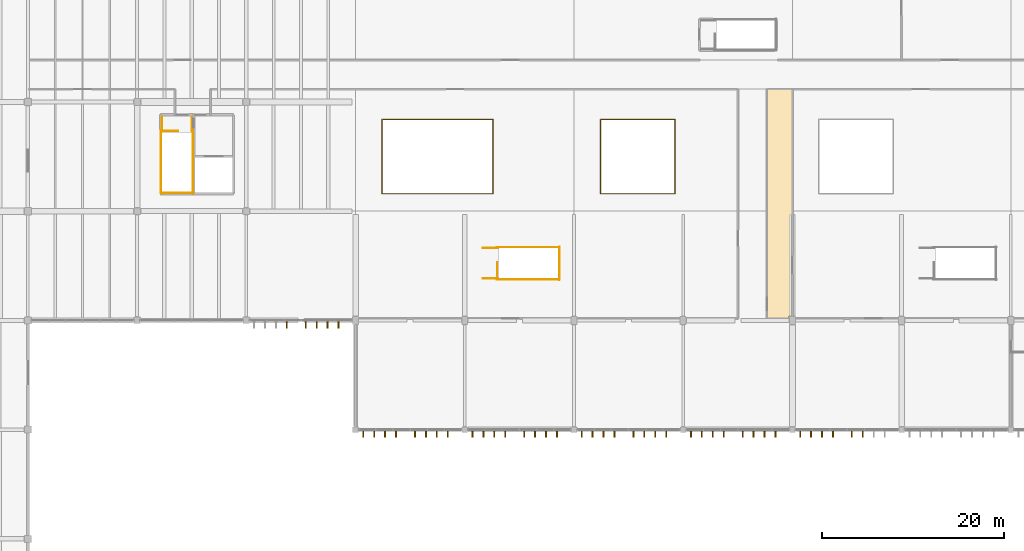
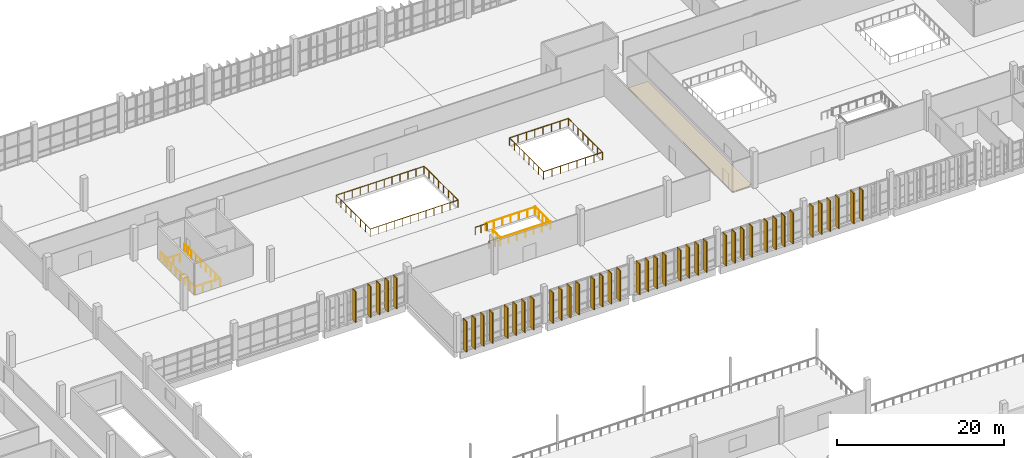
# One storey, part 98 of 112: 44 coverings, 14 railings.
"""IFC4 building model written with IfcOpenShell, lengths in metres."""

from ifc_helpers import new_model, si_unit, direction, frame, origin, origin_2d, place, context, subcontext, project, spatial, polyline, rectangle, circle, outline, extrude, material, layer, layer_set, type_object, element, save


model = new_model("IFC4")

# Units and contexts
model_context = context("Model", 3, precision=1e-05, world=origin(), true_north=direction((0.0, 1.0)))
body_context = subcontext(model_context, "Body", "Model", "MODEL_VIEW")
ifc_project = project(units=[si_unit("LENGTHUNIT", "METRE"), si_unit("AREAUNIT", "SQUARE_METRE"), si_unit("VOLUMEUNIT", "CUBIC_METRE"), si_unit("PLANEANGLEUNIT", "RADIAN"), si_unit("MASSUNIT", "GRAM", prefix="KILO")], contexts=[model_context])

# Site, building, storey
site_placement = place(None, origin())
site = spatial("IfcSite", under=ifc_project, at=site_placement, CompositionType="ELEMENT")
building_placement = place(site_placement, origin())
building = spatial("IfcBuilding", under=site, at=building_placement, Name="Kamomehara Wholesale Market", CompositionType="ELEMENT")
storey_placement = place(building_placement, frame((0.0, 0.0, 6.60009765625)))
storey = spatial("IfcBuildingStorey", under=building, at=storey_placement, Name="L01", CompositionType="ELEMENT", Elevation=6.60009765625)

# Coverings
ifc_material_1 = material(Name="Anodised aluminium 6063-T5 Spectrum Red", Category="aluminium")
ifc_layer_1 = layer(ifc_material_1, 0.134033203125)
ifc_layer_set_1 = layer_set([ifc_layer_1], Name="Anodised aluminium 6063-T5 Spectrum Red")
covering_type_1 = type_object("IfcCoveringType", Name="COV-CLD-01", PredefinedType="CLADDING", material=ifc_layer_set_1)
for number, where, z_axis, x_axis, name in (
    (1, (72.85009765625, 95.594970703125, 0.0), (0.0, 0.0, 1.0), (1.0, 0.0, 0.0), "Polychrome spectrum fin S 29"),
    (2, (92.929931640625, 95.594970703125, 0.0), (0.0, 0.0, 1.0), (1.0, 0.0, 0.0), "Polychrome spectrum fin S 43"),
    (3, (102.530029296875, 95.594970703125, 0.0), (0.0, 0.0, 1.0), (1.0, 0.0, 0.0), "Polychrome spectrum fin S 57"),
    (4, (100.449951171875, 95.594970703125, 0.0), (0.0, 0.0, 1.0), (1.0, 0.0, 0.0), "Polychrome spectrum fin S 64"),
    (5, (110.050048828125, 95.594970703125, 0.0), (0.0, 0.0, 1.0), (1.0, 0.0, 0.0), "Polychrome spectrum fin S 78"),
):
    element("IfcCovering", number, at=place(storey_placement, frame(where, z_axis=z_axis, x_axis=x_axis)), inside=storey, type_object=covering_type_1, Name=name, PredefinedType="CLADDING", context=body_context, shape_type="SweptSolid", body=[
        extrude(rectangle(XDim=0.134033203125, YDim=0.85009765625, at=origin_2d()), origin(), (0.0, 0.0, 1.0), 4.5),
    ])
ifc_material_2 = material(Name="Anodised aluminium 6063-T5 Spectrum Orange", Category="aluminium")
ifc_layer_2 = layer(ifc_material_2, 0.135986328125)
ifc_layer_set_2 = layer_set([ifc_layer_2], Name="Anodised aluminium 6063-T5 Spectrum Orange")
covering_type_2 = type_object("IfcCoveringType", Name="COV-CLD-02", PredefinedType="CLADDING", material=ifc_layer_set_2)
for number, where, z_axis, x_axis, name in (
    (6, (66.530029296875, 107.594970703125, 0.0), (0.0, 0.0, 1.0), (1.0, 0.0, 0.0), "Polychrome spectrum fin S 9"),
    (7, (64.449951171875, 107.594970703125, 0.0), (0.0, 0.0, 1.0), (1.0, 0.0, 0.0), "Polychrome spectrum fin S 16"),
    (8, (74.050048828125, 95.594970703125, 0.0), (0.0, 0.0, 1.0), (1.0, 0.0, 0.0), "Polychrome spectrum fin S 30"),
    (9, (94.1298828125, 95.594970703125, 0.0), (0.0, 0.0, 1.0), (1.0, 0.0, 0.0), "Polychrome spectrum fin S 44"),
    (10, (103.72998046875, 95.594970703125, 0.0), (0.0, 0.0, 1.0), (1.0, 0.0, 0.0), "Polychrome spectrum fin S 58"),
    (11, (111.25, 95.594970703125, 0.0), (0.0, 0.0, 1.0), (1.0, 0.0, 0.0), "Polychrome spectrum fin S 79"),
    (12, (120.85009765625, 95.594970703125, 0.0), (0.0, 0.0, 1.0), (1.0, 0.0, 0.0), "Polychrome spectrum fin S 93"),
):
    element("IfcCovering", number, at=place(storey_placement, frame(where, z_axis=z_axis, x_axis=x_axis)), inside=storey, type_object=covering_type_2, Name=name, PredefinedType="CLADDING", context=body_context, shape_type="SweptSolid", body=[
        extrude(rectangle(XDim=0.135986328125, YDim=0.85009765625, at=origin_2d()), origin(), (0.0, 0.0, 1.0), 4.5),
    ])
ifc_material_3 = material(Name="Anodised aluminium 6063-T5 Spectrum Amber", Category="aluminium")
ifc_layer_3 = layer(ifc_material_3, 0.137939453125)
ifc_layer_set_3 = layer_set([ifc_layer_3], Name="Anodised aluminium 6063-T5 Spectrum Amber")
covering_type_3 = type_object("IfcCoveringType", Name="COV-CLD-03", PredefinedType="CLADDING", material=ifc_layer_set_3)
for number, where, z_axis, x_axis, name in (
    (13, (67.72998046875, 107.594970703125, 0.0), (0.0, 0.0, 1.0), (1.0, 0.0, 0.0), "Polychrome spectrum fin S 10"),
    (14, (75.25, 95.594970703125, 0.0), (0.0, 0.0, 1.0), (1.0, 0.0, 0.0), "Polychrome spectrum fin S 31"),
    (15, (84.85009765625, 95.594970703125, 0.0), (0.0, 0.0, 1.0), (1.0, 0.0, 0.0), "Polychrome spectrum fin S 45"),
    (16, (104.929931640625, 95.594970703125, 0.0), (0.0, 0.0, 1.0), (1.0, 0.0, 0.0), "Polychrome spectrum fin S 59"),
    (17, (114.530029296875, 95.594970703125, 0.0), (0.0, 0.0, 1.0), (1.0, 0.0, 0.0), "Polychrome spectrum fin S 73"),
    (18, (112.449951171875, 95.594970703125, 0.0), (0.0, 0.0, 1.0), (1.0, 0.0, 0.0), "Polychrome spectrum fin S 80"),
    (19, (122.050048828125, 95.594970703125, 0.0), (0.0, 0.0, 1.0), (1.0, 0.0, 0.0), "Polychrome spectrum fin S 94"),
):
    element("IfcCovering", number, at=place(storey_placement, frame(where, z_axis=z_axis, x_axis=x_axis)), inside=storey, type_object=covering_type_3, Name=name, PredefinedType="CLADDING", context=body_context, shape_type="SweptSolid", body=[
        extrude(rectangle(XDim=0.137939453125, YDim=0.85009765625, at=origin_2d()), origin(), (0.0, 0.0, 1.0), 4.5),
    ])
ifc_material_4 = material(Name="Anodised aluminium 6063-T5 Spectrum Green", Category="aluminium")
ifc_layer_4 = layer(ifc_material_4, 0.139892578125)
ifc_layer_set_4 = layer_set([ifc_layer_4], Name="Anodised aluminium 6063-T5 Spectrum Green")
covering_type_4 = type_object("IfcCoveringType", Name="COV-CLD-04", PredefinedType="CLADDING", material=ifc_layer_set_4)
for number, where, z_axis, x_axis, name in (
    (20, (68.929931640625, 107.594970703125, 0.0), (0.0, 0.0, 1.0), (1.0, 0.0, 0.0), "Polychrome spectrum fin S 11"),
    (21, (78.530029296875, 95.594970703125, 0.0), (0.0, 0.0, 1.0), (1.0, 0.0, 0.0), "Polychrome spectrum fin S 25"),
    (22, (76.449951171875, 95.594970703125, 0.0), (0.0, 0.0, 1.0), (1.0, 0.0, 0.0), "Polychrome spectrum fin S 32"),
    (23, (86.050048828125, 95.594970703125, 0.0), (0.0, 0.0, 1.0), (1.0, 0.0, 0.0), "Polychrome spectrum fin S 46"),
    (24, (106.1298828125, 95.594970703125, 0.0), (0.0, 0.0, 1.0), (1.0, 0.0, 0.0), "Polychrome spectrum fin S 60"),
    (25, (115.72998046875, 95.594970703125, 0.0), (0.0, 0.0, 1.0), (1.0, 0.0, 0.0), "Polychrome spectrum fin S 74"),
    (26, (123.25, 95.594970703125, 0.0), (0.0, 0.0, 1.0), (1.0, 0.0, 0.0), "Polychrome spectrum fin S 95"),
):
    element("IfcCovering", number, at=place(storey_placement, frame(where, z_axis=z_axis, x_axis=x_axis)), inside=storey, type_object=covering_type_4, Name=name, PredefinedType="CLADDING", context=body_context, shape_type="SweptSolid", body=[
        extrude(rectangle(XDim=0.139892578125, YDim=0.85009765625, at=origin_2d()), origin(), (0.0, 0.0, 1.0), 4.5),
    ])
ifc_material_5 = material(Name="Anodised aluminium 6063-T5 Spectrum Cyan", Category="aluminium")
ifc_layer_5 = layer(ifc_material_5, 0.14208984375)
ifc_layer_set_5 = layer_set([ifc_layer_5], Name="Anodised aluminium 6063-T5 Spectrum Cyan")
covering_type_5 = type_object("IfcCoveringType", Name="COV-CLD-05", PredefinedType="CLADDING", material=ifc_layer_set_5)
for number, where, z_axis, x_axis, name in (
    (27, (70.1298828125, 107.594970703125, 0.0), (0.0, 0.0, 1.0), (1.0, 0.0, 0.0), "Polychrome spectrum fin S 12"),
    (28, (79.72998046875, 95.594970703125, 0.0), (0.0, 0.0, 1.0), (1.0, 0.0, 0.0), "Polychrome spectrum fin S 26"),
    (29, (87.25, 95.594970703125, 0.0), (0.0, 0.0, 1.0), (1.0, 0.0, 0.0), "Polychrome spectrum fin S 47"),
    (30, (96.85009765625, 95.594970703125, 0.0), (0.0, 0.0, 1.0), (1.0, 0.0, 0.0), "Polychrome spectrum fin S 61"),
    (31, (116.929931640625, 95.594970703125, 0.0), (0.0, 0.0, 1.0), (1.0, 0.0, 0.0), "Polychrome spectrum fin S 75"),
    (32, (126.530029296875, 95.594970703125, 0.0), (0.0, 0.0, 1.0), (1.0, 0.0, 0.0), "Polychrome spectrum fin S 89"),
    (33, (124.449951171875, 95.594970703125, 0.0), (0.0, 0.0, 1.0), (1.0, 0.0, 0.0), "Polychrome spectrum fin S 96"),
):
    element("IfcCovering", number, at=place(storey_placement, frame(where, z_axis=z_axis, x_axis=x_axis)), inside=storey, type_object=covering_type_5, Name=name, PredefinedType="CLADDING", context=body_context, shape_type="SweptSolid", body=[
        extrude(rectangle(XDim=0.14208984375, YDim=0.85009765625, at=origin_2d()), origin(), (0.0, 0.0, 1.0), 4.5),
    ])
ifc_material_6 = material(Name="Anodised aluminium 6063-T5 Spectrum Blue", Category="aluminium")
ifc_layer_6 = layer(ifc_material_6, 0.14404296875)
ifc_layer_set_6 = layer_set([ifc_layer_6], Name="Anodised aluminium 6063-T5 Spectrum Blue")
covering_type_6 = type_object("IfcCoveringType", Name="COV-CLD-06", PredefinedType="CLADDING", material=ifc_layer_set_6)
for number, where, z_axis, x_axis, name in (
    (34, (80.929931640625, 95.594970703125, 0.0), (0.0, 0.0, 1.0), (1.0, 0.0, 0.0), "Polychrome spectrum fin S 27"),
    (35, (90.530029296875, 95.594970703125, 0.0), (0.0, 0.0, 1.0), (1.0, 0.0, 0.0), "Polychrome spectrum fin S 41"),
    (36, (88.449951171875, 95.594970703125, 0.0), (0.0, 0.0, 1.0), (1.0, 0.0, 0.0), "Polychrome spectrum fin S 48"),
    (37, (98.050048828125, 95.594970703125, 0.0), (0.0, 0.0, 1.0), (1.0, 0.0, 0.0), "Polychrome spectrum fin S 62"),
    (38, (118.1298828125, 95.594970703125, 0.0), (0.0, 0.0, 1.0), (1.0, 0.0, 0.0), "Polychrome spectrum fin S 76"),
    (39, (127.72998046875, 95.594970703125, 0.0), (0.0, 0.0, 1.0), (1.0, 0.0, 0.0), "Polychrome spectrum fin S 90"),
):
    element("IfcCovering", number, at=place(storey_placement, frame(where, z_axis=z_axis, x_axis=x_axis)), inside=storey, type_object=covering_type_6, Name=name, PredefinedType="CLADDING", context=body_context, shape_type="SweptSolid", body=[
        extrude(rectangle(XDim=0.14404296875, YDim=0.85009765625, at=origin_2d()), origin(), (0.0, 0.0, 1.0), 4.5),
    ])
ifc_material_7 = material(Name="Anodised aluminium 6063-T5 Spectrum Violet", Category="aluminium")
ifc_layer_7 = layer(ifc_material_7, 0.14599609375)
ifc_layer_set_7 = layer_set([ifc_layer_7], Name="Anodised aluminium 6063-T5 Spectrum Violet")
covering_type_7 = type_object("IfcCoveringType", Name="COV-CLD-07", PredefinedType="CLADDING", material=ifc_layer_set_7)
for number, where, z_axis, x_axis, name in (
    (40, (82.1298828125, 95.594970703125, 0.0), (0.0, 0.0, 1.0), (1.0, 0.0, 0.0), "Polychrome spectrum fin S 28"),
    (41, (91.72998046875, 95.594970703125, 0.0), (0.0, 0.0, 1.0), (1.0, 0.0, 0.0), "Polychrome spectrum fin S 42"),
    (42, (99.25, 95.594970703125, 0.0), (0.0, 0.0, 1.0), (1.0, 0.0, 0.0), "Polychrome spectrum fin S 63"),
    (43, (108.85009765625, 95.594970703125, 0.0), (0.0, 0.0, 1.0), (1.0, 0.0, 0.0), "Polychrome spectrum fin S 77"),
):
    element("IfcCovering", number, at=place(storey_placement, frame(where, z_axis=z_axis, x_axis=x_axis)), inside=storey, type_object=covering_type_7, Name=name, PredefinedType="CLADDING", context=body_context, shape_type="SweptSolid", body=[
        extrude(rectangle(XDim=0.14599609375, YDim=0.85009765625, at=origin_2d()), origin(), (0.0, 0.0, 1.0), 4.5),
    ])
ifc_material_8 = material(Name="Heavy-duty resin market flooring")
ifc_layer_8 = layer(ifc_material_8, 0.030029296875)
ifc_layer_set_8 = layer_set([ifc_layer_8], Name="Heavy-duty resin market flooring")
covering_type_8 = type_object("IfcCoveringType", Name="COV-FLR-02", PredefinedType="FLOORING", material=ifc_layer_set_8)
covering_placement = place(storey_placement, origin())
element("IfcCovering", 44, at=covering_placement, inside=storey, type_object=covering_type_8, Name="Resin flooring L01-02B", PredefinedType="FLOORING", context=body_context, shape_type="SweptSolid", body=[
    extrude(outline(polyline([(119.64111328125, 108.471923828125), (119.64111328125, 108.470947265625), (119.64111328125, 108.469970703125), (119.639892578125, 108.468017578125), (119.638916015625, 108.467041015625), (119.637939453125, 108.465087890625), (119.636962890625, 108.462890625), (119.636962890625, 108.462890625), (119.635986328125, 108.4619140625), (119.635986328125, 108.4609375), (119.635986328125, 108.4599609375), (119.635986328125, 108.458984375), (119.635986328125, 108.4580078125), (119.635986328125, 108.4560546875), (119.635009765625, 108.455078125), (119.635009765625, 108.4541015625), (119.635009765625, 108.452880859375), (119.635009765625, 108.22998046875), (117.22998046875, 108.22998046875), (117.22998046875, 133.3701171875), (119.989990234375, 133.3701171875), (119.989990234375, 108.489990234375), (119.672119140625, 108.489990234375), (119.6708984375, 108.489990234375), (119.669921875, 108.489990234375), (119.6689453125, 108.489013671875), (119.6669921875, 108.489013671875), (119.666015625, 108.489013671875), (119.6650390625, 108.489013671875), (119.6640625, 108.489013671875), (119.6630859375, 108.489013671875), (119.662109375, 108.488037109375), (119.662109375, 108.488037109375), (119.659912109375, 108.487060546875), (119.657958984375, 108.486083984375), (119.656982421875, 108.485107421875), (119.655029296875, 108.48388671875), (119.654052734375, 108.48388671875), (119.653076171875, 108.48388671875), (119.652099609375, 108.48291015625), (119.652099609375, 108.48291015625), (119.65087890625, 108.48193359375), (119.64892578125, 108.47998046875), (119.64697265625, 108.47802734375), (119.64501953125, 108.47607421875), (119.64306640625, 108.47412109375), (119.64208984375, 108.472900390625), (119.64208984375, 108.472900390625), (119.64111328125, 108.471923828125)])), origin(), (0.0, 0.0, 1.0), 0.02978515625),
])

# Railings
ifc_material_9 = material(Name="Steel SN400B", Category="steel")
railing_type = type_object("IfcRailingType", Name="RAL-INT-1100", PredefinedType="BALUSTRADE", material=ifc_material_9)
railing_1_placement = place(storey_placement, frame((50.699951171875, 128.800048828125, 0.0)))
element("IfcRailing", 45, at=railing_1_placement, inside=storey, type_object=railing_type, Name="L01 ST-01 top well guard 1", PredefinedType="BALUSTRADE", context=body_context, shape_type="SweptSolid", body=[
    extrude(circle(Radius=0.02392578125, at=origin_2d()), frame((0.0, 0.0, 1.09619140625), z_axis=(1.0, 0.0, 0.0), x_axis=(0.0, 1.0, 0.0)), (0.0, 0.0, 1.0), 1.800048828125),
    extrude(circle(Radius=0.02099609375, at=origin_2d()), origin(), (0.0, 0.0, 1.0), 1.072021484375),
    extrude(circle(Radius=0.02099609375, at=origin_2d()), frame((0.89990234375, 0.0, 0.0)), (0.0, 0.0, 1.0), 1.072021484375),
    extrude(circle(Radius=0.02099609375, at=origin_2d()), frame((1.800048828125, 0.0, 0.0)), (0.0, 0.0, 1.0), 1.072021484375),
])
for number, where, name in (
    (46, (50.64990234375, 128.85009765625, 0.0), "L01 ST-01 top well guard 2"),
    (47, (54.14990234375, 128.85009765625, 0.0), "L01 ST-01 top well guard 3"),
):
    element("IfcRailing", number, at=place(storey_placement, frame(where)), inside=storey, type_object=railing_type, Name=name, PredefinedType="BALUSTRADE", context=body_context, shape_type="SweptSolid", body=[
        extrude(circle(Radius=0.02392578125, at=origin_2d()), frame((0.0, 0.0, 1.09619140625), z_axis=(0.0, -1.0, 0.0), x_axis=(1.0, 0.0, 0.0)), (0.0, 0.0, 1.0), 6.900146484375),
        extrude(circle(Radius=0.02099609375, at=origin_2d()), origin(), (0.0, 0.0, 1.0), 1.072021484375),
        extrude(circle(Radius=0.02099609375, at=origin_2d()), frame((0.0, -1.14990234375, 0.0)), (0.0, 0.0, 1.0), 1.072021484375),
        extrude(circle(Radius=0.02099609375, at=origin_2d()), frame((0.0, -2.300048828125, 0.0)), (0.0, 0.0, 1.0), 1.072021484375),
        extrude(circle(Radius=0.02099609375, at=origin_2d()), frame((0.0, -3.4501953125, 0.0)), (0.0, 0.0, 1.0), 1.072021484375),
        extrude(circle(Radius=0.02099609375, at=origin_2d()), frame((0.0, -4.60009765625, 0.0)), (0.0, 0.0, 1.0), 1.072021484375),
        extrude(circle(Radius=0.02099609375, at=origin_2d()), frame((0.0, -5.75, 0.0)), (0.0, 0.0, 1.0), 1.072021484375),
        extrude(circle(Radius=0.02099609375, at=origin_2d()), frame((0.0, -6.900146484375, 0.0)), (0.0, 0.0, 1.0), 1.072021484375),
    ])
railing_2_placement = place(storey_placement, frame((50.60009765625, 122.0, 0.0)))
element("IfcRailing", 48, at=railing_2_placement, inside=storey, type_object=railing_type, Name="L01 ST-01 top well guard 4", PredefinedType="BALUSTRADE", context=body_context, shape_type="SweptSolid", body=[
    extrude(circle(Radius=0.02392578125, at=origin_2d()), frame((0.0, 0.0, 1.09619140625), z_axis=(1.0, 0.0, 0.0), x_axis=(0.0, 1.0, 0.0)), (0.0, 0.0, 1.0), 3.599853515625),
    extrude(circle(Radius=0.02099609375, at=origin_2d()), origin(), (0.0, 0.0, 1.0), 1.072021484375),
    extrude(circle(Radius=0.02099609375, at=origin_2d()), frame((1.199951171875, 0.0, 0.0)), (0.0, 0.0, 1.0), 1.072021484375),
    extrude(circle(Radius=0.02099609375, at=origin_2d()), frame((2.39990234375, 0.0, 0.0)), (0.0, 0.0, 1.0), 1.072021484375),
    extrude(circle(Radius=0.02099609375, at=origin_2d()), frame((3.599853515625, 0.0, 0.0)), (0.0, 0.0, 1.0), 1.072021484375),
])
for number, where, name in (
    (49, (50.75, 130.35009765625, 0.0), "L01 ST-01 top well guard 5"),
    (50, (54.050048828125, 130.35009765625, 0.0), "L01 ST-01 top well guard 6"),
):
    element("IfcRailing", number, at=place(storey_placement, frame(where)), inside=storey, type_object=railing_type, Name=name, PredefinedType="BALUSTRADE", context=body_context, shape_type="SweptSolid", body=[
        extrude(circle(Radius=0.02392578125, at=origin_2d()), frame((0.0, 0.0, 1.09619140625), z_axis=(0.0, -1.0, 0.0), x_axis=(1.0, 0.0, 0.0)), (0.0, 0.0, 1.0), 1.60009765625),
        extrude(circle(Radius=0.02099609375, at=origin_2d()), origin(), (0.0, 0.0, 1.0), 1.072021484375),
        extrude(circle(Radius=0.02099609375, at=origin_2d()), frame((0.0, -0.800048828125, 0.0)), (0.0, 0.0, 1.0), 1.072021484375),
        extrude(circle(Radius=0.02099609375, at=origin_2d()), frame((0.0, -1.60009765625, 0.0)), (0.0, 0.0, 1.0), 1.072021484375),
    ])
railing_3_placement = place(storey_placement, frame((87.570068359375, 112.550048828125, 0.0)))
element("IfcRailing", 51, at=railing_3_placement, inside=storey, type_object=railing_type, Name="L01 ST-11 top well guard 1", PredefinedType="BALUSTRADE", context=body_context, shape_type="SweptSolid", body=[
    extrude(circle(Radius=0.02392578125, at=origin_2d()), frame((0.0, 0.0, 1.09619140625), z_axis=(0.0, 1.0, 0.0), x_axis=(-1.0, 0.0, 0.0)), (0.0, 0.0, 1.0), 1.820068359375),
    extrude(circle(Radius=0.02099609375, at=origin_2d()), origin(), (0.0, 0.0, 1.0), 1.072021484375),
    extrude(circle(Radius=0.02099609375, at=origin_2d()), frame((0.0, 0.91015625, 0.0)), (0.0, 0.0, 1.0), 1.072021484375),
    extrude(circle(Radius=0.02099609375, at=origin_2d()), frame((0.0, 1.820068359375, 0.0)), (0.0, 0.0, 1.0), 1.072021484375),
])
for number, where, name in (
    (52, (87.52001953125, 112.5, 0.0), "L01 ST-11 top well guard 2"),
    (53, (87.52001953125, 116.0400390625, 0.0), "L01 ST-11 top well guard 3"),
):
    element("IfcRailing", number, at=place(storey_placement, frame(where)), inside=storey, type_object=railing_type, Name=name, PredefinedType="BALUSTRADE", context=body_context, shape_type="SweptSolid", body=[
        extrude(circle(Radius=0.02392578125, at=origin_2d()), frame((0.0, 0.0, 1.09619140625), z_axis=(1.0, 0.0, 0.0), x_axis=(0.0, 1.0, 0.0)), (0.0, 0.0, 1.0), 6.919921875),
        extrude(circle(Radius=0.02099609375, at=origin_2d()), origin(), (0.0, 0.0, 1.0), 1.072021484375),
        extrude(circle(Radius=0.02099609375, at=origin_2d()), frame((1.1533203125, 0.0, 0.0)), (0.0, 0.0, 1.0), 1.072021484375),
        extrude(circle(Radius=0.02099609375, at=origin_2d()), frame((2.306640625, 0.0, 0.0)), (0.0, 0.0, 1.0), 1.072021484375),
        extrude(circle(Radius=0.02099609375, at=origin_2d()), frame((3.4599609375, 0.0, 0.0)), (0.0, 0.0, 1.0), 1.072021484375),
        extrude(circle(Radius=0.02099609375, at=origin_2d()), frame((4.61328125, 0.0, 0.0)), (0.0, 0.0, 1.0), 1.072021484375),
        extrude(circle(Radius=0.02099609375, at=origin_2d()), frame((5.7666015625, 0.0, 0.0)), (0.0, 0.0, 1.0), 1.072021484375),
        extrude(circle(Radius=0.02099609375, at=origin_2d()), frame((6.919921875, 0.0, 0.0)), (0.0, 0.0, 1.0), 1.072021484375),
    ])
railing_4_placement = place(storey_placement, frame((94.389892578125, 112.449951171875, 0.0)))
element("IfcRailing", 54, at=railing_4_placement, inside=storey, type_object=railing_type, Name="L01 ST-11 top well guard 4", PredefinedType="BALUSTRADE", context=body_context, shape_type="SweptSolid", body=[
    extrude(circle(Radius=0.02392578125, at=origin_2d()), frame((0.0, 0.0, 1.09619140625), z_axis=(0.0, 1.0, 0.0), x_axis=(-1.0, 0.0, 0.0)), (0.0, 0.0, 1.0), 3.64013671875),
    extrude(circle(Radius=0.02099609375, at=origin_2d()), origin(), (0.0, 0.0, 1.0), 1.072021484375),
    extrude(circle(Radius=0.02099609375, at=origin_2d()), frame((0.0, 0.91015625, 0.0)), (0.0, 0.0, 1.0), 1.072021484375),
    extrude(circle(Radius=0.02099609375, at=origin_2d()), frame((0.0, 1.820068359375, 0.0)), (0.0, 0.0, 1.0), 1.072021484375),
    extrude(circle(Radius=0.02099609375, at=origin_2d()), frame((0.0, 2.72998046875, 0.0)), (0.0, 0.0, 1.0), 1.072021484375),
    extrude(circle(Radius=0.02099609375, at=origin_2d()), frame((0.0, 3.64013671875, 0.0)), (0.0, 0.0, 1.0), 1.072021484375),
])
for number, where, name in (
    (55, (86.0, 112.60009765625, 0.0), "L01 ST-11 top well guard 5"),
    (56, (86.0, 115.93994140625, 0.0), "L01 ST-11 top well guard 6"),
):
    element("IfcRailing", number, at=place(storey_placement, frame(where)), inside=storey, type_object=railing_type, Name=name, PredefinedType="BALUSTRADE", context=body_context, shape_type="SweptSolid", body=[
        extrude(circle(Radius=0.02392578125, at=origin_2d()), frame((0.0, 0.0, 1.09619140625), z_axis=(1.0, 0.0, 0.0), x_axis=(0.0, 1.0, 0.0)), (0.0, 0.0, 1.0), 1.6201171875),
        extrude(circle(Radius=0.02099609375, at=origin_2d()), origin(), (0.0, 0.0, 1.0), 1.072021484375),
        extrude(circle(Radius=0.02099609375, at=origin_2d()), frame((0.81005859375, 0.0, 0.0)), (0.0, 0.0, 1.0), 1.072021484375),
        extrude(circle(Radius=0.02099609375, at=origin_2d()), frame((1.6201171875, 0.0, 0.0)), (0.0, 0.0, 1.0), 1.072021484375),
    ])
railing_5_placement = place(storey_placement, frame((87.080078125, 121.919921875, 0.0)))
element("IfcRailing", 57, at=railing_5_placement, inside=storey, type_object=railing_type, Name="Atrium void guard L01 1", PredefinedType="BALUSTRADE", context=body_context, shape_type="SweptSolid", body=[
    extrude(circle(Radius=0.02392578125, at=origin_2d()), frame((0.0, 0.0, 1.09619140625), z_axis=(-1.0, 0.0, 0.0), x_axis=(0.0, -1.0, 0.0)), (0.0, 0.0, 1.0), 12.16015625),
    extrude(circle(Radius=0.02392578125, at=origin_2d()), frame((-12.16015625, 0.0, 1.09619140625), z_axis=(0.0, 1.0, 0.0), x_axis=(-1.0, 0.0, 0.0)), (0.0, 0.0, 1.0), 8.16015625),
    extrude(circle(Radius=0.02392578125, at=origin_2d()), frame((-12.16015625, 8.16015625, 1.09619140625), z_axis=(1.0, 0.0, 0.0), x_axis=(0.0, 1.0, 0.0)), (0.0, 0.0, 1.0), 12.16015625),
    extrude(circle(Radius=0.02392578125, at=origin_2d()), frame((0.0, 8.16015625, 1.09619140625), z_axis=(0.0, -1.0, 0.0), x_axis=(1.0, 0.0, 0.0)), (0.0, 0.0, 1.0), 8.16015625),
    extrude(circle(Radius=0.02099609375, at=origin_2d()), origin(), (0.0, 0.0, 1.0), 1.072021484375),
    extrude(circle(Radius=0.02099609375, at=origin_2d()), frame((-1.10546875, 0.0, 0.0)), (0.0, 0.0, 1.0), 1.072021484375),
    extrude(circle(Radius=0.02099609375, at=origin_2d()), frame((-2.2109375, 0.0, 0.0)), (0.0, 0.0, 1.0), 1.072021484375),
    extrude(circle(Radius=0.02099609375, at=origin_2d()), frame((-3.31640625, 0.0, 0.0)), (0.0, 0.0, 1.0), 1.072021484375),
    extrude(circle(Radius=0.02099609375, at=origin_2d()), frame((-4.421875, 0.0, 0.0)), (0.0, 0.0, 1.0), 1.072021484375),
    extrude(circle(Radius=0.02099609375, at=origin_2d()), frame((-5.52734375, 0.0, 0.0)), (0.0, 0.0, 1.0), 1.072021484375),
    extrude(circle(Radius=0.02099609375, at=origin_2d()), frame((-6.6328125, 0.0, 0.0)), (0.0, 0.0, 1.0), 1.072021484375),
    extrude(circle(Radius=0.02099609375, at=origin_2d()), frame((-7.73828125, 0.0, 0.0)), (0.0, 0.0, 1.0), 1.072021484375),
    extrude(circle(Radius=0.02099609375, at=origin_2d()), frame((-8.84375, 0.0, 0.0)), (0.0, 0.0, 1.0), 1.072021484375),
    extrude(circle(Radius=0.02099609375, at=origin_2d()), frame((-9.94921875, 0.0, 0.0)), (0.0, 0.0, 1.0), 1.072021484375),
    extrude(circle(Radius=0.02099609375, at=origin_2d()), frame((-11.0546875, 0.0, 0.0)), (0.0, 0.0, 1.0), 1.072021484375),
    extrude(circle(Radius=0.02099609375, at=origin_2d()), frame((-12.16015625, 0.0, 0.0)), (0.0, 0.0, 1.0), 1.072021484375),
    extrude(circle(Radius=0.02099609375, at=origin_2d()), frame((-12.16015625, 1.165771484375, 0.0)), (0.0, 0.0, 1.0), 1.072021484375),
    extrude(circle(Radius=0.02099609375, at=origin_2d()), frame((-12.16015625, 2.33154296875, 0.0)), (0.0, 0.0, 1.0), 1.072021484375),
    extrude(circle(Radius=0.02099609375, at=origin_2d()), frame((-12.16015625, 3.497314453125, 0.0)), (0.0, 0.0, 1.0), 1.072021484375),
    extrude(circle(Radius=0.02099609375, at=origin_2d()), frame((-12.16015625, 4.662841796875, 0.0)), (0.0, 0.0, 1.0), 1.072021484375),
    extrude(circle(Radius=0.02099609375, at=origin_2d()), frame((-12.16015625, 5.82861328125, 0.0)), (0.0, 0.0, 1.0), 1.072021484375),
    extrude(circle(Radius=0.02099609375, at=origin_2d()), frame((-12.16015625, 6.994384765625, 0.0)), (0.0, 0.0, 1.0), 1.072021484375),
    extrude(circle(Radius=0.02099609375, at=origin_2d()), frame((-12.16015625, 8.16015625, 0.0)), (0.0, 0.0, 1.0), 1.072021484375),
    extrude(circle(Radius=0.02099609375, at=origin_2d()), frame((-11.0546875, 8.16015625, 0.0)), (0.0, 0.0, 1.0), 1.072021484375),
    extrude(circle(Radius=0.02099609375, at=origin_2d()), frame((-9.94921875, 8.16015625, 0.0)), (0.0, 0.0, 1.0), 1.072021484375),
    extrude(circle(Radius=0.02099609375, at=origin_2d()), frame((-8.84375, 8.16015625, 0.0)), (0.0, 0.0, 1.0), 1.072021484375),
    extrude(circle(Radius=0.02099609375, at=origin_2d()), frame((-7.73828125, 8.16015625, 0.0)), (0.0, 0.0, 1.0), 1.072021484375),
    extrude(circle(Radius=0.02099609375, at=origin_2d()), frame((-6.6328125, 8.16015625, 0.0)), (0.0, 0.0, 1.0), 1.072021484375),
    extrude(circle(Radius=0.02099609375, at=origin_2d()), frame((-5.52734375, 8.16015625, 0.0)), (0.0, 0.0, 1.0), 1.072021484375),
    extrude(circle(Radius=0.02099609375, at=origin_2d()), frame((-4.421875, 8.16015625, 0.0)), (0.0, 0.0, 1.0), 1.072021484375),
    extrude(circle(Radius=0.02099609375, at=origin_2d()), frame((-3.31640625, 8.16015625, 0.0)), (0.0, 0.0, 1.0), 1.072021484375),
    extrude(circle(Radius=0.02099609375, at=origin_2d()), frame((-2.2109375, 8.16015625, 0.0)), (0.0, 0.0, 1.0), 1.072021484375),
    extrude(circle(Radius=0.02099609375, at=origin_2d()), frame((-1.10546875, 8.16015625, 0.0)), (0.0, 0.0, 1.0), 1.072021484375),
    extrude(circle(Radius=0.02099609375, at=origin_2d()), frame((0.0, 8.16015625, 0.0)), (0.0, 0.0, 1.0), 1.072021484375),
    extrude(circle(Radius=0.02099609375, at=origin_2d()), frame((0.0, 6.994384765625, 0.0)), (0.0, 0.0, 1.0), 1.072021484375),
    extrude(circle(Radius=0.02099609375, at=origin_2d()), frame((0.0, 5.82861328125, 0.0)), (0.0, 0.0, 1.0), 1.072021484375),
    extrude(circle(Radius=0.02099609375, at=origin_2d()), frame((0.0, 4.662841796875, 0.0)), (0.0, 0.0, 1.0), 1.072021484375),
    extrude(circle(Radius=0.02099609375, at=origin_2d()), frame((0.0, 3.497314453125, 0.0)), (0.0, 0.0, 1.0), 1.072021484375),
    extrude(circle(Radius=0.02099609375, at=origin_2d()), frame((0.0, 2.33154296875, 0.0)), (0.0, 0.0, 1.0), 1.072021484375),
    extrude(circle(Radius=0.02099609375, at=origin_2d()), frame((0.0, 1.165771484375, 0.0)), (0.0, 0.0, 1.0), 1.072021484375),
])
railing_6_placement = place(storey_placement, frame((107.080078125, 121.919921875, 0.0)))
element("IfcRailing", 58, at=railing_6_placement, inside=storey, type_object=railing_type, Name="Atrium void guard L01 2", PredefinedType="BALUSTRADE", context=body_context, shape_type="SweptSolid", body=[
    extrude(circle(Radius=0.02392578125, at=origin_2d()), frame((0.0, 0.0, 1.09619140625), z_axis=(-1.0, 0.0, 0.0), x_axis=(0.0, -1.0, 0.0)), (0.0, 0.0, 1.0), 8.16015625),
    extrude(circle(Radius=0.02392578125, at=origin_2d()), frame((-8.16015625, 0.0, 1.09619140625), z_axis=(0.0, 1.0, 0.0), x_axis=(-1.0, 0.0, 0.0)), (0.0, 0.0, 1.0), 8.16015625),
    extrude(circle(Radius=0.02392578125, at=origin_2d()), frame((-8.16015625, 8.16015625, 1.09619140625), z_axis=(1.0, 0.0, 0.0), x_axis=(0.0, 1.0, 0.0)), (0.0, 0.0, 1.0), 8.16015625),
    extrude(circle(Radius=0.02392578125, at=origin_2d()), frame((0.0, 8.16015625, 1.09619140625), z_axis=(0.0, -1.0, 0.0), x_axis=(1.0, 0.0, 0.0)), (0.0, 0.0, 1.0), 8.16015625),
    extrude(circle(Radius=0.02099609375, at=origin_2d()), origin(), (0.0, 0.0, 1.0), 1.072021484375),
    extrude(circle(Radius=0.02099609375, at=origin_2d()), frame((-1.165771484375, 0.0, 0.0)), (0.0, 0.0, 1.0), 1.072021484375),
    extrude(circle(Radius=0.02099609375, at=origin_2d()), frame((-2.33154296875, 0.0, 0.0)), (0.0, 0.0, 1.0), 1.072021484375),
    extrude(circle(Radius=0.02099609375, at=origin_2d()), frame((-3.497314453125, 0.0, 0.0)), (0.0, 0.0, 1.0), 1.072021484375),
    extrude(circle(Radius=0.02099609375, at=origin_2d()), frame((-4.662841796875, 0.0, 0.0)), (0.0, 0.0, 1.0), 1.072021484375),
    extrude(circle(Radius=0.02099609375, at=origin_2d()), frame((-5.82861328125, 0.0, 0.0)), (0.0, 0.0, 1.0), 1.072021484375),
    extrude(circle(Radius=0.02099609375, at=origin_2d()), frame((-6.994384765625, 0.0, 0.0)), (0.0, 0.0, 1.0), 1.072021484375),
    extrude(circle(Radius=0.02099609375, at=origin_2d()), frame((-8.16015625, 0.0, 0.0)), (0.0, 0.0, 1.0), 1.072021484375),
    extrude(circle(Radius=0.02099609375, at=origin_2d()), frame((-8.16015625, 1.165771484375, 0.0)), (0.0, 0.0, 1.0), 1.072021484375),
    extrude(circle(Radius=0.02099609375, at=origin_2d()), frame((-8.16015625, 2.33154296875, 0.0)), (0.0, 0.0, 1.0), 1.072021484375),
    extrude(circle(Radius=0.02099609375, at=origin_2d()), frame((-8.16015625, 3.497314453125, 0.0)), (0.0, 0.0, 1.0), 1.072021484375),
    extrude(circle(Radius=0.02099609375, at=origin_2d()), frame((-8.16015625, 4.662841796875, 0.0)), (0.0, 0.0, 1.0), 1.072021484375),
    extrude(circle(Radius=0.02099609375, at=origin_2d()), frame((-8.16015625, 5.82861328125, 0.0)), (0.0, 0.0, 1.0), 1.072021484375),
    extrude(circle(Radius=0.02099609375, at=origin_2d()), frame((-8.16015625, 6.994384765625, 0.0)), (0.0, 0.0, 1.0), 1.072021484375),
    extrude(circle(Radius=0.02099609375, at=origin_2d()), frame((-8.16015625, 8.16015625, 0.0)), (0.0, 0.0, 1.0), 1.072021484375),
    extrude(circle(Radius=0.02099609375, at=origin_2d()), frame((-6.994384765625, 8.16015625, 0.0)), (0.0, 0.0, 1.0), 1.072021484375),
    extrude(circle(Radius=0.02099609375, at=origin_2d()), frame((-5.82861328125, 8.16015625, 0.0)), (0.0, 0.0, 1.0), 1.072021484375),
    extrude(circle(Radius=0.02099609375, at=origin_2d()), frame((-4.662841796875, 8.16015625, 0.0)), (0.0, 0.0, 1.0), 1.072021484375),
    extrude(circle(Radius=0.02099609375, at=origin_2d()), frame((-3.497314453125, 8.16015625, 0.0)), (0.0, 0.0, 1.0), 1.072021484375),
    extrude(circle(Radius=0.02099609375, at=origin_2d()), frame((-2.33154296875, 8.16015625, 0.0)), (0.0, 0.0, 1.0), 1.072021484375),
    extrude(circle(Radius=0.02099609375, at=origin_2d()), frame((-1.165771484375, 8.16015625, 0.0)), (0.0, 0.0, 1.0), 1.072021484375),
    extrude(circle(Radius=0.02099609375, at=origin_2d()), frame((0.0, 8.16015625, 0.0)), (0.0, 0.0, 1.0), 1.072021484375),
    extrude(circle(Radius=0.02099609375, at=origin_2d()), frame((0.0, 6.994384765625, 0.0)), (0.0, 0.0, 1.0), 1.072021484375),
    extrude(circle(Radius=0.02099609375, at=origin_2d()), frame((0.0, 5.82861328125, 0.0)), (0.0, 0.0, 1.0), 1.072021484375),
    extrude(circle(Radius=0.02099609375, at=origin_2d()), frame((0.0, 4.662841796875, 0.0)), (0.0, 0.0, 1.0), 1.072021484375),
    extrude(circle(Radius=0.02099609375, at=origin_2d()), frame((0.0, 3.497314453125, 0.0)), (0.0, 0.0, 1.0), 1.072021484375),
    extrude(circle(Radius=0.02099609375, at=origin_2d()), frame((0.0, 2.33154296875, 0.0)), (0.0, 0.0, 1.0), 1.072021484375),
    extrude(circle(Radius=0.02099609375, at=origin_2d()), frame((0.0, 1.165771484375, 0.0)), (0.0, 0.0, 1.0), 1.072021484375),
])

save(model, "model.ifc")
